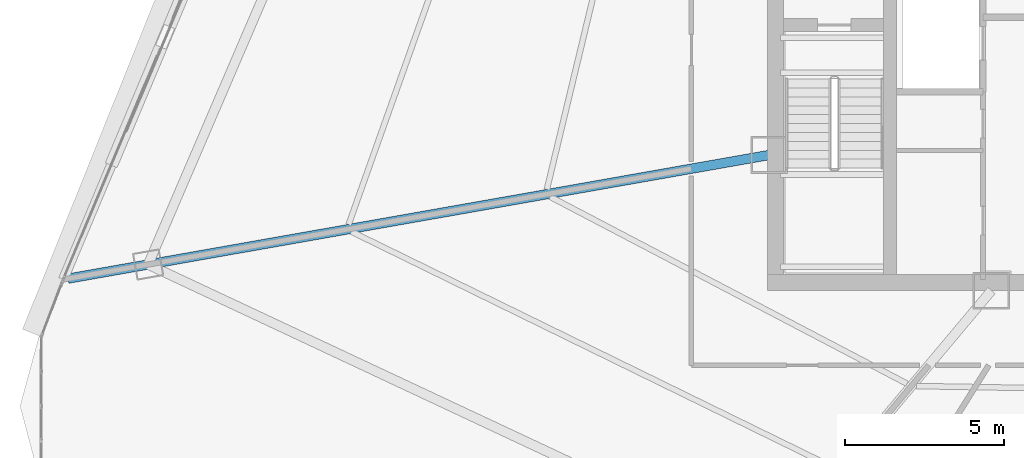
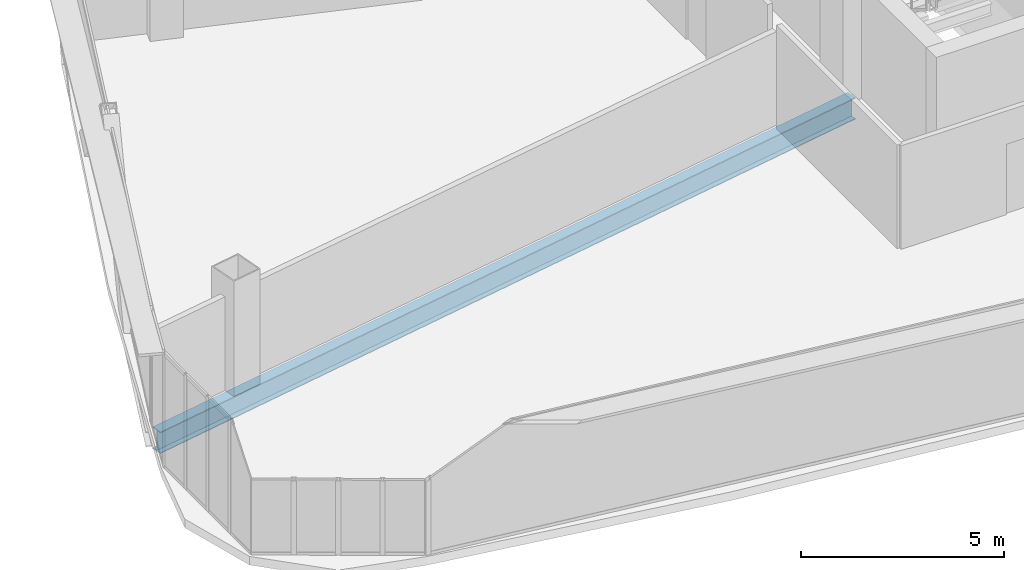
# One storey, part 5 of 36: 1 beam.
"""IFC4 building model written with IfcOpenShell, lengths in metres."""

from ifc_helpers import new_model, si_unit, direction, frame, origin, origin_2d, place, context, subcontext, project, spatial, i_section, extrude, source, transform, mapped, material, material_profile, profile_set, type_object, element, save


model = new_model("IFC4")

# Units and contexts
model_context = context("Model", 3, precision=1e-05, world=origin(), true_north=direction((0.0, 1.0)))
body_context = subcontext(model_context, "Body", "Model", "MODEL_VIEW")
ifc_project = project(units=[si_unit("LENGTHUNIT", "METRE"), si_unit("AREAUNIT", "SQUARE_METRE"), si_unit("VOLUMEUNIT", "CUBIC_METRE"), si_unit("PLANEANGLEUNIT", "RADIAN"), si_unit("MASSUNIT", "GRAM", prefix="KILO"), si_unit("THERMODYNAMICTEMPERATUREUNIT", "KELVIN"), si_unit("POWERUNIT", "WATT")], contexts=[model_context])

# Site, building, storey
site_placement = place(None, origin())
site = spatial("IfcSite", under=ifc_project, at=site_placement, CompositionType="ELEMENT")
building_placement = place(site_placement, origin())
building = spatial("IfcBuilding", under=site, at=building_placement, Name="Yunzhuo Pagoda Commons", CompositionType="ELEMENT")
storey_placement = place(building_placement, frame((0.0, 0.0, 244.530029296875)))
storey = spatial("IfcBuildingStorey", under=building, at=storey_placement, Name="L61", CompositionType="ELEMENT", Elevation=244.530029296875)

# Beam
ifc_material = material(Name="Structural steel Q355B", Category="steel")
ifc_material_profile = material_profile(ifc_material, i_section(OverallWidth=0.300048828125, OverallDepth=0.64990234375, WebThickness=0.012939453125, FlangeThickness=0.02197265625, at=origin_2d()), Name="Structural steel Q355B")
ifc_profile_set = profile_set([ifc_material_profile], Name="Structural steel Q355B")
beam_type = type_object("IfcBeamType", Name="B-RG2 Beam HN 650x300x13x22", PredefinedType="BEAM", material=ifc_profile_set)
shared_shape = source(origin(), body_context, "Body", "SweptSolid", [
    extrude(i_section(OverallWidth=0.300048828125, OverallDepth=0.64990234375, WebThickness=0.012939453125, FlangeThickness=0.02197265625, at=origin_2d()), origin(), (0.0, 0.0, 1.0), 22.39208984375),
])
beam_placement = place(storey_placement, frame((13.548095703125, 27.625244140625, -0.5849609375), z_axis=(0.984809122528, 0.173640410577, 0.0), x_axis=(-0.173640410577, 0.984809122528, 0.0)))
element("IfcBeam", 1, at=beam_placement, inside=storey, type_object=beam_type, Name="L61 radial floor girder F3C4", PredefinedType="BEAM", context=body_context, shape_type="MappedRepresentation", body=[
    mapped(shared_shape, transform((0.0, 0.0, 0.0), scale=1.0)),
])

save(model, "model.ifc")
